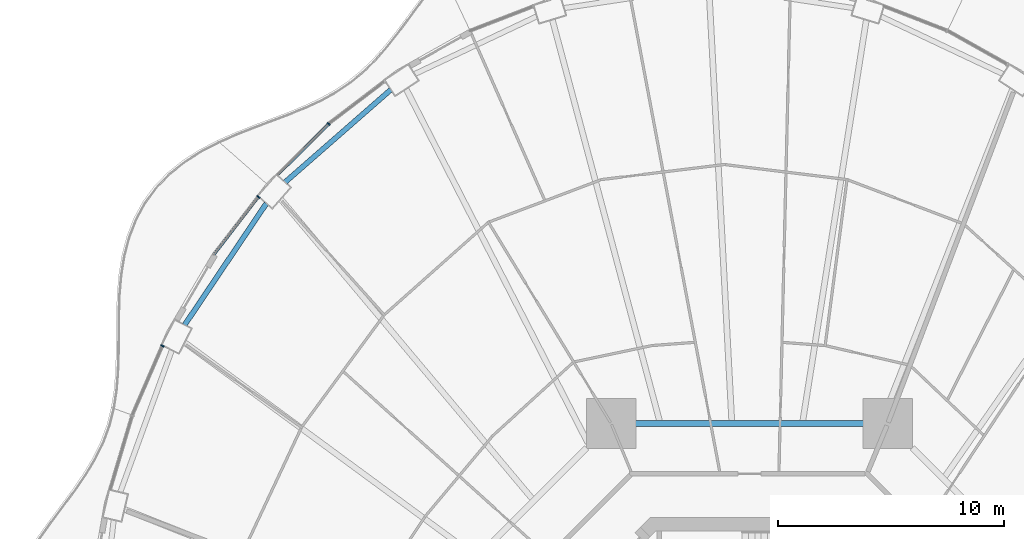
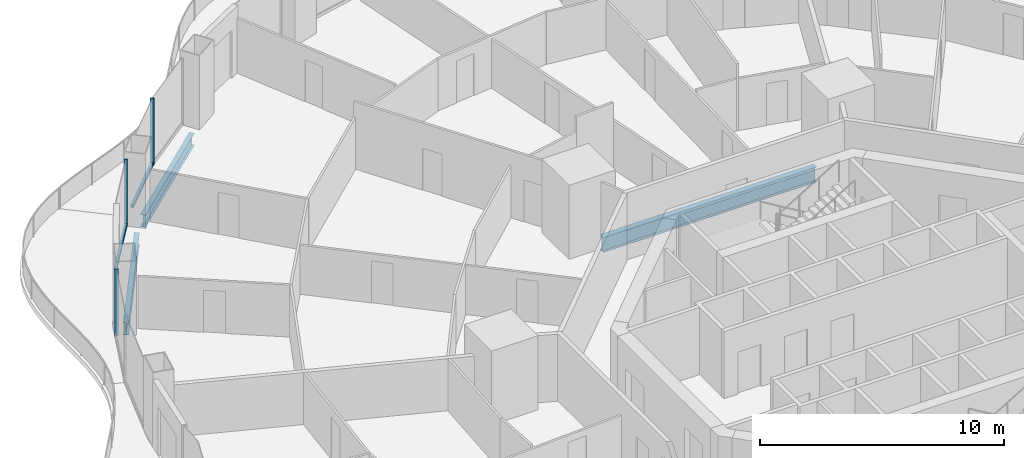
# One storey, part 8 of 23: 5 members, 3 beams, 3 elements without a shape of their own.
"""IFC4 building model written with IfcOpenShell, lengths in metres."""

from ifc_helpers import new_model, si_unit, direction, frame, origin, origin_2d, place, context, subcontext, project, spatial, rectangle, i_section, extrude, material, layer, layer_set, material_profile, profile_set, type_object, element, aggregate, save


model = new_model("IFC4")

# Units and contexts
model_context = context("Model", 3, precision=1e-05, world=origin(), true_north=direction((0.0, 1.0)))
body_context = subcontext(model_context, "Body", "Model", "MODEL_VIEW")
ifc_project = project(units=[si_unit("LENGTHUNIT", "METRE"), si_unit("AREAUNIT", "SQUARE_METRE"), si_unit("VOLUMEUNIT", "CUBIC_METRE"), si_unit("PLANEANGLEUNIT", "RADIAN"), si_unit("MASSUNIT", "GRAM", prefix="KILO")], contexts=[model_context])

# Site, building, storey
site_placement = place(None, origin())
site = spatial("IfcSite", under=ifc_project, at=site_placement, CompositionType="ELEMENT")
building_placement = place(site_placement, origin())
building = spatial("IfcBuilding", under=site, at=building_placement, Name="Nagisa Residences", CompositionType="ELEMENT")
storey_placement = place(building_placement, frame((0.0, 0.0, 110.300048828125)))
storey = spatial("IfcBuildingStorey", under=building, at=storey_placement, Name="L27", CompositionType="ELEMENT", Elevation=110.300048828125)

# Curtain wall, member
ifc_material_1 = material(Name="Concrete-coloured aluminium curtain wall system", Category="concrete")
ifc_layer = layer(ifc_material_1, 0.159912109375)
ifc_layer_set = layer_set([ifc_layer], Name="CW1 CURTAIN WALL")
curtain_wall_type = type_object("IfcCurtainWallType", Name="CW1 CURTAIN WALL", PredefinedType="NOTDEFINED", material=ifc_layer_set)
curtain_wall_1_placement = place(storey_placement, origin())
curtain_wall_1 = element("IfcCurtainWall", 1, at=curtain_wall_1_placement, inside=storey, type_object=curtain_wall_type, Name="cw:CW1:L27:17", PredefinedType="NOTDEFINED")
ifc_material_2 = material(Name="Concrete-coloured aluminium", Category="concrete")
ifc_material_profile_1 = material_profile(ifc_material_2, rectangle(XDim=0.159912109375, YDim=0.06005859375, at=origin_2d()), Name="CW1 MULLION 160x60")
ifc_profile_set_1 = profile_set([ifc_material_profile_1], Name="Concrete-coloured aluminium")
member_type_1 = type_object("IfcMemberType", Name="CW1 MULLION 160x60", PredefinedType="MULLION", material=ifc_profile_set_1)
member_1_placement = place(storey_placement, frame((-18.624267578125, 28.04248046875, 0.0), z_axis=(0.0, 0.0, 1.0), x_axis=(0.706376885714, -0.707835924016, 0.0)))
member_1 = element("IfcMember", 2, at=member_1_placement, type_object=member_type_1, Name="CW1 mullion", PredefinedType="MULLION", context=body_context, shape_type="SweptSolid", body=[
    extrude(rectangle(XDim=0.159912109375, YDim=0.06005859375, at=origin_2d()), origin(), (0.0, 0.0, 1.0), 3.349853515625),
])

curtain_wall_2_placement = place(storey_placement, origin())
curtain_wall_2 = element("IfcCurtainWall", 3, at=curtain_wall_2_placement, inside=storey, type_object=curtain_wall_type, Name="cw:CW1:L27:18", PredefinedType="NOTDEFINED")
member_2_placement = place(storey_placement, frame((-21.735107421875, 24.814697265625, 0.0), z_axis=(0.0, 0.0, 1.0), x_axis=(0.792070340816, -0.610429828235, 0.0)))
member_2 = element("IfcMember", 4, at=member_2_placement, type_object=member_type_1, Name="CW1 mullion", PredefinedType="MULLION", context=body_context, shape_type="SweptSolid", body=[
    extrude(rectangle(XDim=0.159912109375, YDim=0.06005859375, at=origin_2d()), origin(), (0.0, 0.0, 1.0), 3.349853515625),
])

curtain_wall_3_placement = place(storey_placement, origin())
curtain_wall_3 = element("IfcCurtainWall", 5, at=curtain_wall_3_placement, inside=storey, type_object=curtain_wall_type, Name="cw:CW1:L27:20", PredefinedType="NOTDEFINED")
member_3_placement = place(storey_placement, frame((-25.9814453125, 18.219482421875, 0.0), z_axis=(0.0, 0.0, 1.0), x_axis=(0.917543276295, -0.397635934147, 0.0)))
member_3 = element("IfcMember", 6, at=member_3_placement, type_object=member_type_1, Name="CW1 mullion", PredefinedType="MULLION", context=body_context, shape_type="SweptSolid", body=[
    extrude(rectangle(XDim=0.159912109375, YDim=0.06005859375, at=origin_2d()), origin(), (0.0, 0.0, 1.0), 3.349853515625),
])
aggregate(curtain_wall_3, [member_3])

# Member
ifc_material_3 = material(Name="Concrete-coloured aluminium", Category="concrete")
ifc_material_profile_2 = material_profile(ifc_material_3, rectangle(XDim=0.1201171875, YDim=0.14990234375, at=origin_2d()), Name="CW1 TRANSOM 120x150")
ifc_profile_set_2 = profile_set([ifc_material_profile_2], Name="Concrete-coloured aluminium")
member_type_2 = type_object("IfcMemberType", Name="CW1 TRANSOM 120x150", PredefinedType="USERDEFINED", material=ifc_profile_set_2)
member_4_placement = place(storey_placement, frame((-18.60302734375, 28.0634765625, 0.074951171875), z_axis=(-0.707869817944, -0.706342920149, 0.0), x_axis=(0.706342920149, -0.707869817944, 0.0)))
member_4 = element("IfcMember", 7, at=member_4_placement, type_object=member_type_2, Name="CW1 transom", ObjectType="TRANSOM", PredefinedType="USERDEFINED", context=body_context, shape_type="SweptSolid", body=[
    extrude(rectangle(XDim=0.1201171875, YDim=0.14990234375, at=origin_2d()), origin(), (0.0, 0.0, 1.0), 3.19775390625),
])

aggregate(curtain_wall_1, [member_1, member_4])

member_5_placement = place(storey_placement, frame((-21.716796875, 24.83837890625, 0.074951171875), z_axis=(-0.61041202934, -0.792084057684, 0.0), x_axis=(0.792084057684, -0.61041202934, 0.0)))
member_5 = element("IfcMember", 8, at=member_5_placement, type_object=member_type_2, Name="CW1 transom", ObjectType="TRANSOM", PredefinedType="USERDEFINED", context=body_context, shape_type="SweptSolid", body=[
    extrude(rectangle(XDim=0.1201171875, YDim=0.14990234375, at=origin_2d()), origin(), (0.0, 0.0, 1.0), 3.262939453125),
])

aggregate(curtain_wall_2, [member_2, member_5])

# Beams
ifc_material_4 = material(Name="Steel ASTM A572 Gr 50", Category="steel")
ifc_material_profile_3 = material_profile(ifc_material_4, i_section(OverallWidth=0.264892578125, OverallDepth=0.7529296875, WebThickness=0.01318359375, FlangeThickness=0.01708984375, at=origin_2d()), Name="W760x147")
ifc_profile_set_3 = profile_set([ifc_material_profile_3], Name="Steel ASTM A572 Gr 50")
beam_type_1 = type_object("IfcBeamType", Name="Inner ring beam W760x147", PredefinedType="BEAM", material=ifc_profile_set_3)
beam_1_placement = place(storey_placement, frame((5.04296875, 14.781982421875, -0.636474609375), z_axis=(-1.0, 0.0, 0.0), x_axis=(0.0, -1.0, 0.0)))
element("IfcBeam", 9, at=beam_1_placement, inside=storey, type_object=beam_type_1, Name="beam:L27:ib2", PredefinedType="BEAM", context=body_context, shape_type="SweptSolid", body=[
    extrude(i_section(OverallWidth=0.264892578125, OverallDepth=0.7529296875, WebThickness=0.01318359375, FlangeThickness=0.01708984375, at=origin_2d()), origin(), (0.0, 0.0, 1.0), 10.0859375),
])
ifc_material_5 = material(Name="Steel ASTM A572 Gr 50", Category="steel")
ifc_material_profile_4 = material_profile(ifc_material_5, i_section(OverallWidth=0.22802734375, OverallDepth=0.60302734375, WebThickness=0.010498046875, FlangeThickness=0.014892578125, at=origin_2d()), Name="W610x101")
ifc_profile_set_4 = profile_set([ifc_material_profile_4], Name="Steel ASTM A572 Gr 50")
beam_type_2 = type_object("IfcBeamType", Name="Perimeter ring beam W610x101", PredefinedType="BEAM", material=ifc_profile_set_4)
beam_2_placement = place(storey_placement, frame((-15.876220703125, 29.55859375, -0.5615234375), z_axis=(-0.752542612886, -0.658543556488, 0.0), x_axis=(0.658543556488, -0.752542612886, 0.0)))
element("IfcBeam", 10, at=beam_2_placement, inside=storey, type_object=beam_type_2, Name="beam:L27:pb09", PredefinedType="BEAM", context=body_context, shape_type="SweptSolid", body=[
    extrude(i_section(OverallWidth=0.22802734375, OverallDepth=0.60302734375, WebThickness=0.010498046875, FlangeThickness=0.014892578125, at=origin_2d()), origin(), (0.0, 0.0, 1.0), 6.212646484375),
])
beam_3_placement = place(storey_placement, frame((-21.384521484375, 24.521484375, -0.5615234375), z_axis=(-0.558221079259, -0.829692248168, 0.0), x_axis=(0.829692248168, -0.558221079259, 0.0)))
element("IfcBeam", 11, at=beam_3_placement, inside=storey, type_object=beam_type_2, Name="beam:L27:pb10", PredefinedType="BEAM", context=body_context, shape_type="SweptSolid", body=[
    extrude(i_section(OverallWidth=0.22802734375, OverallDepth=0.60302734375, WebThickness=0.010498046875, FlangeThickness=0.014892578125, at=origin_2d()), origin(), (0.0, 0.0, 1.0), 6.471435546875),
])

save(model, "model.ifc")
